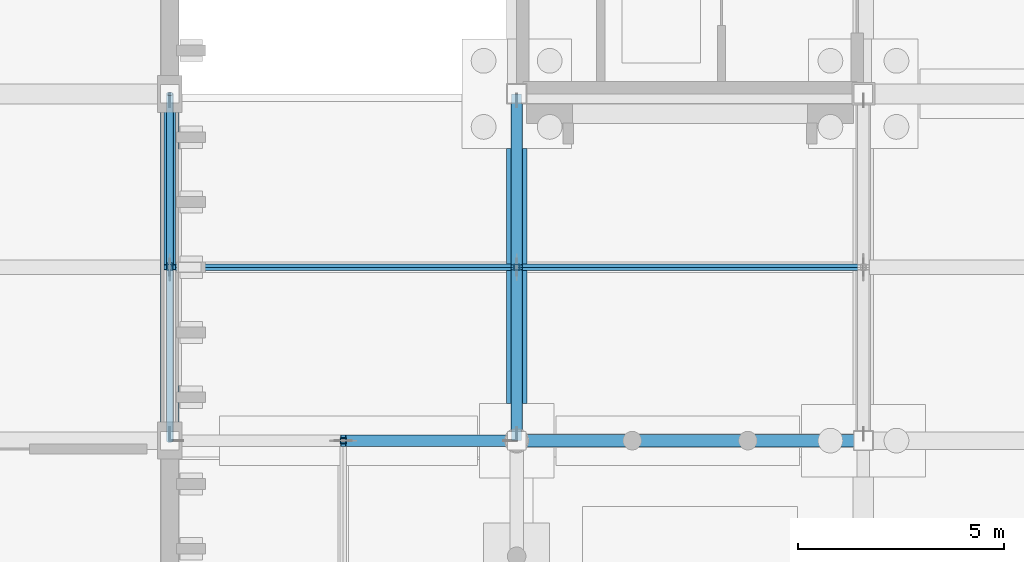
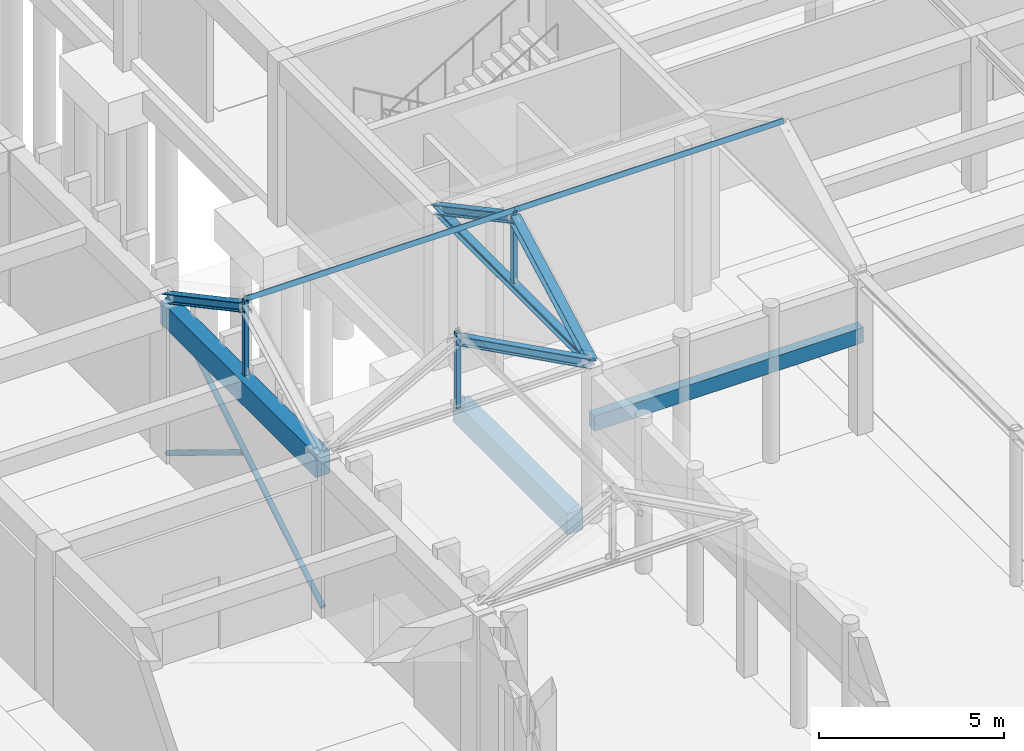
# One storey, part 51 of 143: 12 members, 3 beams.
"""IFC4 building model written with IfcOpenShell, lengths in metres."""

from ifc_helpers import new_model, si_unit, direction, frame, origin, origin_2d, place, context, subcontext, project, spatial, rectangle, hollow_rectangle, hollow_circle, i_section, extrude, material, material_profile, profile_set, type_object, element, save


model = new_model("IFC4")

# Units and contexts
model_context = context("Model", 3, precision=1e-05, world=origin(), true_north=direction((0.0, 1.0)))
body_context = subcontext(model_context, "Body", "Model", "MODEL_VIEW")
ifc_project = project(units=[si_unit("LENGTHUNIT", "METRE"), si_unit("AREAUNIT", "SQUARE_METRE"), si_unit("VOLUMEUNIT", "CUBIC_METRE"), si_unit("PLANEANGLEUNIT", "RADIAN"), si_unit("MASSUNIT", "GRAM", prefix="KILO")], contexts=[model_context])

# Site, building, storey
site_placement = place(None, origin())
site = spatial("IfcSite", under=ifc_project, at=site_placement, CompositionType="ELEMENT")
building_placement = place(site_placement, origin())
building = spatial("IfcBuilding", under=site, at=building_placement, Name="Kveldsbrygga Polytechnic", CompositionType="ELEMENT")
storey_placement = place(building_placement, origin())
storey = spatial("IfcBuildingStorey", under=building, at=storey_placement, Name="L00", CompositionType="ELEMENT", Elevation=0.0)

# Beams
ifc_material_1 = material(Name="Concrete C35/45", Category="concrete")
ifc_material_profile_1 = material_profile(ifc_material_1, rectangle(XDim=0.449951171875, YDim=0.75, at=origin_2d()), Name="RC 450x750")
ifc_profile_set_1 = profile_set([ifc_material_profile_1], Name="Concrete C35/45")
beam_type_1 = type_object("IfcBeamType", Name="BM-RC-450x750", PredefinedType="BEAM", material=ifc_profile_set_1)
beam_1_placement = place(storey_placement, frame((33.60009765625, 75.60009765625, 4.72509765625), z_axis=(0.0, 1.0, 0.0), x_axis=(-1.0, 0.0, 0.0)))
element("IfcBeam", 1, at=beam_1_placement, inside=storey, type_object=beam_type_1, Name="Primary Beam BMY-L00-04-09to10", PredefinedType="BEAM", context=body_context, shape_type="SweptSolid", body=[
    extrude(rectangle(XDim=0.449951171875, YDim=0.75, at=origin_2d()), origin(), (0.0, 0.0, 1.0), 8.39990234375),
])
ifc_material_profile_2 = material_profile(ifc_material_1, rectangle(XDim=0.5, YDim=0.699951171875, at=origin_2d()), Name="RC 500x700")
ifc_profile_set_2 = profile_set([ifc_material_profile_2], Name="Concrete C35/45")
beam_type_2 = type_object("IfcBeamType", Name="BM-TIE-500x700", PredefinedType="BEAM", material=ifc_profile_set_2)
beam_2_placement = place(storey_placement, frame((42.0, 76.501953125, -0.669921875), z_axis=(0.0, 1.0, 0.0), x_axis=(-1.0, 0.0, 0.0)))
element("IfcBeam", 2, at=beam_2_placement, inside=storey, type_object=beam_type_2, Name="Ground Tie Beam GB-L00-Y-05-09", PredefinedType="BEAM", context=body_context, shape_type="SweptSolid", body=[
    extrude(rectangle(XDim=0.5, YDim=0.699951171875, at=origin_2d()), origin(), (0.0, 0.0, 1.0), 6.171142578125),
])

# Members
ifc_material_2 = material(Name="Steel S355", Category="steel")
ifc_material_profile_3 = material_profile(ifc_material_2, hollow_circle(Radius=0.084228515625, WallThickness=0.010009765625, at=origin_2d()), Name="CHS 168.3x10.0")
ifc_profile_set_3 = profile_set([ifc_material_profile_3], Name="Steel S355")
member_type_1 = type_object("IfcMemberType", Name="BR-WIND-CHS168", PredefinedType="BRACE", material=ifc_profile_set_3)
member_1_placement = place(storey_placement, frame((33.60009765625, 75.60009765625, 0.0), z_axis=(0.0, 0.852982633203, 0.521939294798), x_axis=(-1.0, 0.0, 0.0)))
element("IfcMember", 3, at=member_1_placement, inside=storey, type_object=member_type_1, Name="Workshop Portal Continuous Brace VBR-L00-E-9-A", PredefinedType="BRACE", context=body_context, shape_type="SweptSolid", body=[
    extrude(hollow_circle(Radius=0.084228515625, WallThickness=0.010009765625, at=origin_2d()), origin(), (0.0, 0.0, 1.0), 9.84765625),
])
member_2_placement = place(storey_placement, frame((33.60009765625, 84.0, 0.0), z_axis=(0.0, -0.852990810736, 0.521925930377), x_axis=(1.0, 0.0, 0.0)))
element("IfcMember", 4, at=member_2_placement, inside=storey, type_object=member_type_1, Name="Workshop Portal Split Brace VBR-L00-E-9-B1", PredefinedType="BRACE", context=body_context, shape_type="SweptSolid", body=[
    extrude(hollow_circle(Radius=0.084228515625, WallThickness=0.010009765625, at=origin_2d()), origin(), (0.0, 0.0, 1.0), 4.833984375),
])

# Beam
ifc_material_profile_4 = material_profile(ifc_material_1, rectangle(XDim=0.300048828125, YDim=0.5, at=origin_2d()), Name="RC 300x500")
ifc_profile_set_4 = profile_set([ifc_material_profile_4], Name="Concrete C35/45")
beam_type_3 = type_object("IfcBeamType", Name="LNT-RC-300x500", PredefinedType="LINTEL", material=ifc_profile_set_4)
beam_3_placement = place(storey_placement, frame((42.0, 75.60009765625, 3.199951171875), z_axis=(1.0, 0.0, 0.0), x_axis=(0.0, 1.0, 0.0)))
element("IfcBeam", 5, at=beam_3_placement, inside=storey, type_object=beam_type_3, Name="Cloister Arcade Arch Lintel Beam BM-ARC-HDR-02", PredefinedType="LINTEL", context=body_context, shape_type="SweptSolid", body=[
    extrude(rectangle(XDim=0.300048828125, YDim=0.5, at=origin_2d()), origin(), (0.0, 0.0, 1.0), 8.39990234375),
])

# Members
ifc_material_profile_5 = material_profile(ifc_material_2, hollow_rectangle(XDim=0.10009765625, YDim=0.14990234375, WallThickness=0.008056640625, at=origin_2d()), Name="RHS 150x100x8.0")
ifc_profile_set_5 = profile_set([ifc_material_profile_5], Name="Steel S355")
member_type_2 = type_object("IfcMemberType", Name="PRL-RHS150", PredefinedType="PURLIN", material=ifc_profile_set_5)
for number, where, z_axis, x_axis, name in (
    (6, (33.60009765625, 79.800048828125, 7.6337890625), (1.0, 0.0, 0.0), (0.0, 0.881479888517, -0.472221564671), "Roof Purlin ARC-WN-PRL-1-1"),
    (7, (42.0, 79.800048828125, 7.6337890625), (1.0, 0.0, 0.0), (0.0, 0.881479888517, -0.472221564671), "Roof Purlin ARC-WN-PRL-2-1"),
):
    element("IfcMember", number, at=place(storey_placement, frame(where, z_axis=z_axis, x_axis=x_axis)), inside=storey, type_object=member_type_2, Name=name, PredefinedType="PURLIN", context=body_context, shape_type="SweptSolid", body=[
        extrude(hollow_rectangle(XDim=0.10009765625, YDim=0.14990234375, WallThickness=0.008056640625, at=origin_2d()), origin(), (0.0, 0.0, 1.0), 8.39990234375),
    ])
ifc_material_profile_6 = material_profile(ifc_material_2, i_section(OverallWidth=0.239990234375, OverallDepth=0.239990234375, WebThickness=0.010009765625, FlangeThickness=0.01708984375, FilletRadius=0.02099609375, at=origin_2d()), Name="HEB 240")
ifc_profile_set_6 = profile_set([ifc_material_profile_6], Name="Steel S355")
member_type_3 = type_object("IfcMemberType", Name="TR-BOT-HEB240", PredefinedType="CHORD", material=ifc_profile_set_6)
member_3_placement = place(storey_placement, frame((42.0, 75.60009765625, 5.139892578125), z_axis=(0.0, 1.0, 0.0), x_axis=(-1.0, 0.0, 0.0)))
element("IfcMember", 8, at=member_3_placement, inside=storey, type_object=member_type_3, Name="Truss Bottom Chord ARC-WN-T02-BC-1", PredefinedType="CHORD", context=body_context, shape_type="SweptSolid", body=[
    extrude(i_section(OverallWidth=0.239990234375, OverallDepth=0.239990234375, WebThickness=0.010009765625, FlangeThickness=0.01708984375, FilletRadius=0.02099609375, at=origin_2d()), origin(), (0.0, 0.0, 1.0), 8.39990234375),
])
ifc_material_profile_7 = material_profile(ifc_material_2, hollow_rectangle(XDim=0.139892578125, YDim=0.139892578125, WallThickness=0.008056640625, at=origin_2d()), Name="SHS 140x140x8.0")
ifc_profile_set_7 = profile_set([ifc_material_profile_7], Name="Steel S355")
member_type_4 = type_object("IfcMemberType", Name="TR-POST-SHS140", PredefinedType="STRUT", material=ifc_profile_set_7)
for number, where, z_axis, x_axis, name in (
    (9, (33.60009765625, 79.800048828125, 5.139892578125), (0.0, 0.0, 1.0), (1.0, 0.0, 0.0), "Truss Vertical ARC-WN-T01-VT-1"),
    (10, (42.0, 79.800048828125, 5.139892578125), (0.0, 0.0, 1.0), (1.0, 0.0, 0.0), "Truss Vertical ARC-WN-T02-VT-1"),
    (11, (37.800048828125, 75.60009765625, 5.139892578125), (0.0, 0.0, 1.0), (1.0, 0.0, 0.0), "Truss Vertical ARC-WW-T06-VT-1"),
):
    element("IfcMember", number, at=place(storey_placement, frame(where, z_axis=z_axis, x_axis=x_axis)), inside=storey, type_object=member_type_4, Name=name, PredefinedType="STRUT", context=body_context, shape_type="SweptSolid", body=[
        extrude(hollow_rectangle(XDim=0.139892578125, YDim=0.139892578125, WallThickness=0.008056640625, at=origin_2d()), origin(), (0.0, 0.0, 1.0), 2.493896484375),
    ])
ifc_material_profile_8 = material_profile(ifc_material_2, i_section(OverallWidth=0.280029296875, OverallDepth=0.280029296875, WebThickness=0.010498046875, FlangeThickness=0.01806640625, FilletRadius=0.02392578125, at=origin_2d()), Name="HEB 280")
ifc_profile_set_8 = profile_set([ifc_material_profile_8], Name="Steel S355")
member_type_5 = type_object("IfcMemberType", Name="TR-TOP-HEB280", PredefinedType="CHORD", material=ifc_profile_set_8)
for number, where, z_axis, x_axis, name in (
    (12, (33.60009765625, 79.800048828125, 7.389892578125), (0.0, 0.881477684796, -0.472225678258), (-1.0, 0.0, 0.0), "Truss Top Chord ARC-WN-T01-TC-2"),
    (13, (42.0, 75.60009765625, 5.139892578125), (0.0, 0.881477684796, 0.472225678258), (-1.0, 0.0, 0.0), "Truss Top Chord ARC-WN-T02-TC-1"),
    (14, (42.0, 79.800048828125, 7.389892578125), (0.0, 0.881477684796, -0.472225678258), (-1.0, 0.0, 0.0), "Truss Top Chord ARC-WN-T02-TC-2"),
    (15, (37.800048828125, 75.60009765625, 7.389892578125), (0.881477684796, 0.0, -0.472225678258), (0.0, 1.0, 0.0), "Truss Top Chord ARC-WW-T06-TC-2"),
):
    element("IfcMember", number, at=place(storey_placement, frame(where, z_axis=z_axis, x_axis=x_axis)), inside=storey, type_object=member_type_5, Name=name, PredefinedType="CHORD", context=body_context, shape_type="SweptSolid", body=[
        extrude(i_section(OverallWidth=0.280029296875, OverallDepth=0.280029296875, WebThickness=0.010498046875, FlangeThickness=0.01806640625, FilletRadius=0.02392578125, at=origin_2d()), origin(), (0.0, 0.0, 1.0), 4.7646484375),
    ])

save(model, "model.ifc")
